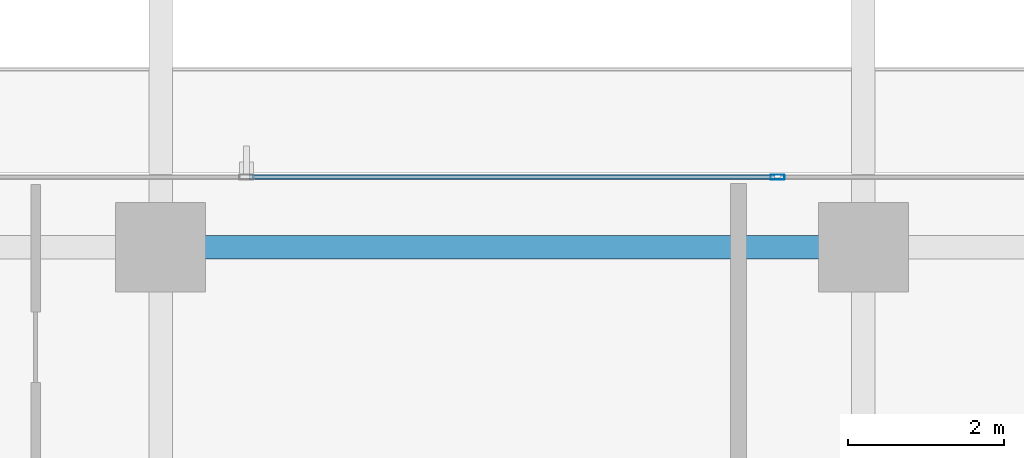
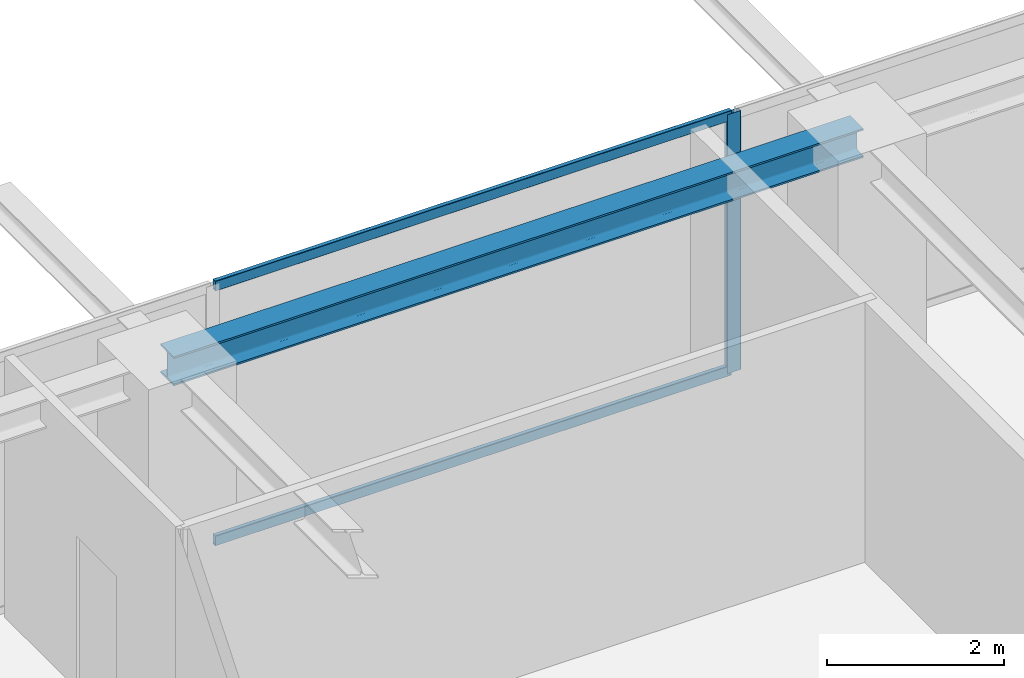
# One storey, part 19 of 37: 3 members, 1 beam, 1 element without a shape of its own.
"""IFC4 building model written with IfcOpenShell, lengths in metres."""

import ifcopenshell
import ifcopenshell.guid

model = None  # the IFC model being written
_history = None  # IfcOwnerHistory: only IFC2X3 demands one
_inside = {}  # id of a spatial element -> (the spatial element, [elements in it])
_under = {}  # id of a project, library or spatial element -> (it, [spatial elements below it])
_declared = {}  # id of a project -> (the project, [libraries it declares])
_typed = {}  # id of a type object -> (the type object, [elements of that type])
_made_of = {}  # id of a material, layer set ... -> (it, [elements and type objects made of it])


def new_model(schema):
    """Start an empty IFC model of exactly this schema.

    Asked for "IFC4X3", IfcOpenShell would pick the latest addendum, in which some entities
    have other attributes; the version numbers below select the first issue.
    IFC2X3 requires an IfcOwnerHistory on every rooted entity: one is made here for all.
    """
    global model, _history
    if schema == "IFC4X3":
        model = ifcopenshell.file(schema_version=(4, 3, 0, 0))
    else:
        model = ifcopenshell.file(schema=schema)
    _inside.clear()
    _under.clear()
    _declared.clear()
    _typed.clear()
    _made_of.clear()
    _history = None
    if model.schema == "IFC2X3":
        org = make("IfcOrganization", Name="unknown")
        user = make(
            "IfcPersonAndOrganization",
            ThePerson=make("IfcPerson", FamilyName="unknown"),
            TheOrganization=org,
        )
        app = make(
            "IfcApplication",
            ApplicationDeveloper=org,
            Version="unknown",
            ApplicationFullName="unknown",
            ApplicationIdentifier="unknown",
        )
        _history = make(
            "IfcOwnerHistory",
            OwningUser=user,
            OwningApplication=app,
            ChangeAction="ADDED",
            CreationDate=0,
        )
    return model


def make(cls, **values):
    """One entity of the class cls with the attributes given. An attribute that is None is left unset."""
    return model.create_entity(
        cls, **{name: value for name, value in values.items() if value is not None}
    )


def rooted(cls, **values):
    """An entity with a GlobalId (a new one), such as an element, a storey or a relation."""
    return make(cls, GlobalId=ifcopenshell.guid.new(), OwnerHistory=_history, **values)


def si_unit(unit_type, name, prefix=None):
    """IfcSIUnit, for example si_unit("LENGTHUNIT", "METRE", prefix="MILLI")."""
    return make("IfcSIUnit", UnitType=unit_type, Prefix=prefix, Name=name)


def assignment(units):
    """IfcUnitAssignment: the units of a project."""
    return None if units is None else make("IfcUnitAssignment", Units=units)


def point(xyz):
    """IfcCartesianPoint."""
    return None if xyz is None else make("IfcCartesianPoint", Coordinates=xyz)


def direction(xyz):
    """IfcDirection."""
    return None if xyz is None else make("IfcDirection", DirectionRatios=xyz)


def frame(location, z_axis=None, x_axis=None):
    """IfcAxis2Placement3D, a coordinate frame: its origin and axes. An axis left out is left unset."""
    return make(
        "IfcAxis2Placement3D",
        Location=point(location),
        Axis=direction(z_axis),
        RefDirection=direction(x_axis),
    )


def frame_2d(location, x_axis=None):
    """IfcAxis2Placement2D, a coordinate frame in the plane: its origin and x axis."""
    return make(
        "IfcAxis2Placement2D", Location=point(location), RefDirection=direction(x_axis)
    )


def origin():
    """The frame at (0, 0, 0) with its axes left unset."""
    return frame((0.0, 0.0, 0.0))


def origin_2d():
    """The frame at (0, 0) in the plane with its x axis left unset."""
    return frame_2d((0.0, 0.0))


def place(relative_to, where):
    """IfcLocalPlacement: puts the frame where relative to a parent placement (None: the world)."""
    return make(
        "IfcLocalPlacement", PlacementRelTo=relative_to, RelativePlacement=where
    )


def context(
    kind, dimensions, precision=None, world=None, true_north=None, identifier=None
):
    """IfcGeometricRepresentationContext, for example the 3D "Model" context."""
    return make(
        "IfcGeometricRepresentationContext",
        ContextIdentifier=identifier,
        ContextType=kind,
        CoordinateSpaceDimension=dimensions,
        Precision=precision,
        WorldCoordinateSystem=world,
        TrueNorth=true_north,
    )


def subcontext(parent, identifier, kind, view, scale=None):
    """IfcGeometricRepresentationSubContext, for example "Body" below "Model"."""
    return make(
        "IfcGeometricRepresentationSubContext",
        ContextIdentifier=identifier,
        ContextType=kind,
        ParentContext=parent,
        TargetScale=scale,
        TargetView=view,
    )


def project(units=None, contexts=None):
    """IfcProject with its units and contexts."""
    return rooted(
        "IfcProject",
        Name="project",
        RepresentationContexts=contexts,
        UnitsInContext=assignment(units),
    )


def spatial(cls, under=None, at=None, **own):
    """A site, building, storey or space (cls), placed at a placement, below another one or the project."""
    s = rooted(cls, ObjectPlacement=at, **own)
    if under is not None:
        _under.setdefault(under.id(), (under, []))[1].append(s)
    return s


def profile(cls, at=None, kind="AREA", **sizes):
    """A parametric profile (cls). Its sizes go by their IFC names, for example OverallWidth=200.0."""
    return make(cls, ProfileType=kind, Position=at, **sizes)


def hollow_rectangle(**sizes):
    """IfcRectangleHollowProfileDef."""
    return profile("IfcRectangleHollowProfileDef", **sizes)


def i_section(**sizes):
    """IfcIShapeProfileDef."""
    return profile("IfcIShapeProfileDef", **sizes)


def extrude(swept, where, along, depth):
    """IfcExtrudedAreaSolid: the profile swept, set in the frame where, extruded along a direction by depth."""
    return make(
        "IfcExtrudedAreaSolid",
        SweptArea=swept,
        Position=where,
        ExtrudedDirection=direction(along),
        Depth=depth,
    )


def shape(context_of_items, identifier, shape_type, items):
    """IfcShapeRepresentation: the items that make up one representation, for example the "Body"."""
    return make(
        "IfcShapeRepresentation",
        ContextOfItems=context_of_items,
        RepresentationIdentifier=identifier,
        RepresentationType=shape_type,
        Items=items,
    )


def source(mapping_origin, context_of_items, identifier, shape_type, items):
    """IfcRepresentationMap: a shape defined once, which mapped items show again and again."""
    return make(
        "IfcRepresentationMap",
        MappingOrigin=mapping_origin,
        MappedRepresentation=shape(context_of_items, identifier, shape_type, items),
    )


def transform(
    local_origin,
    x_axis=None,
    y_axis=None,
    z_axis=None,
    scale=None,
    scale2=None,
    scale3=None,
    uniform=True,
):
    """IfcCartesianTransformationOperator3D, or its non-uniform kind. x_axis, y_axis, z_axis: its Axis1, 2, 3."""
    if uniform:
        return make(
            "IfcCartesianTransformationOperator3D",
            Axis1=direction(x_axis),
            Axis2=direction(y_axis),
            LocalOrigin=point(local_origin),
            Scale=scale,
            Axis3=direction(z_axis),
        )
    return make(
        "IfcCartesianTransformationOperator3DnonUniform",
        Axis1=direction(x_axis),
        Axis2=direction(y_axis),
        LocalOrigin=point(local_origin),
        Scale=scale,
        Axis3=direction(z_axis),
        Scale2=scale2,
        Scale3=scale3,
    )


def mapped(mapping_source, mapping_target):
    """IfcMappedItem: shows the shape of a source again, moved by a transform."""
    return make(
        "IfcMappedItem", MappingSource=mapping_source, MappingTarget=mapping_target
    )


def material(Name=None, Category=None):
    """IfcMaterial."""
    return make("IfcMaterial", Name=Name, Category=Category)


def layer(
    of_material, thickness, ventilated=None, Name=None, Category=None, Priority=None
):
    """IfcMaterialLayer: one layer of a wall or slab, of a material (None: an air gap)."""
    return make(
        "IfcMaterialLayer",
        Material=of_material,
        LayerThickness=thickness,
        IsVentilated=ventilated,
        Name=Name,
        Category=Category,
        Priority=Priority,
    )


def layer_set(layers, Name=None):
    """IfcMaterialLayerSet."""
    return make("IfcMaterialLayerSet", MaterialLayers=layers, LayerSetName=Name)


def material_profile(
    of_material, cross_section, Name=None, Category=None, Priority=None
):
    """IfcMaterialProfile: a cross section and its material."""
    return make(
        "IfcMaterialProfile",
        Name=Name,
        Material=of_material,
        Profile=cross_section,
        Priority=Priority,
        Category=Category,
    )


def profile_set(profiles, Name=None, composite=None):
    """IfcMaterialProfileSet."""
    return make(
        "IfcMaterialProfileSet",
        Name=Name,
        MaterialProfiles=profiles,
        CompositeProfile=composite,
    )


def made_of(thing, what):
    """Note that an element or type object is made of a material, layer set ...; save() writes the relation."""
    if what is not None:
        _made_of.setdefault(what.id(), (what, []))[1].append(thing)
    return thing


def type_object(cls, material=None, **own):
    """A type object (cls), such as IfcWallType, which elements share."""
    return made_of(rooted(cls, **own), material)


def element(
    cls,
    number,
    at=None,
    inside=None,
    cuts=None,
    type_object=None,
    material=None,
    context=None,
    identifier="Body",
    shape_type=None,
    held_by="IfcProductDefinitionShape",
    body=None,
    shapes=None,
    **own,
):
    """One element of the class cls, such as IfcWall. Its Tag is "e" and its number.

    at: its placement. inside: the storey or other place that contains it. cuts: it is an
    opening in that element (IfcRelVoidsElement). A single representation is given by context,
    identifier, shape_type and body (its items); several are given by shapes. held_by: the class
    of the entity that holds the representations. save() writes the other relations.
    """
    e = rooted(cls, Tag="e%d" % number, ObjectPlacement=at, **own)
    if body is not None:
        shapes = [shape(context, identifier, shape_type, body)]
    if shapes is not None:
        e.Representation = make(held_by, Representations=shapes)
    if inside is not None:
        _inside.setdefault(inside.id(), (inside, []))[1].append(e)
    if cuts is not None:
        rooted(
            "IfcRelVoidsElement", RelatingBuildingElement=cuts, RelatedOpeningElement=e
        )
    if type_object is not None:
        _typed.setdefault(type_object.id(), (type_object, []))[1].append(e)
    return made_of(e, material)


def aggregate(whole, parts):
    """IfcRelAggregates: a whole, such as a stair, and the parts it consists of."""
    return rooted("IfcRelAggregates", RelatingObject=whole, RelatedObjects=parts)


def save(model, path):
    """Write the relations noted so far, then the file.

    IfcRelAggregates (storeys below a building ...), IfcRelContainedInSpatialStructure (elements
    in a storey), IfcRelDefinesByType, IfcRelAssociatesMaterial and IfcRelDeclares: one each for
    every whole, place, type object, material and project.
    """
    for whole, parts in _under.values():
        aggregate(whole, parts)
    for where, things in _inside.values():
        rooted(
            "IfcRelContainedInSpatialStructure",
            RelatedElements=things,
            RelatingStructure=where,
        )
    for kind, things in _typed.values():
        rooted("IfcRelDefinesByType", RelatedObjects=things, RelatingType=kind)
    for what, things in _made_of.values():
        rooted("IfcRelAssociatesMaterial", RelatedObjects=things, RelatingMaterial=what)
    for by, libraries in _declared.values():
        rooted("IfcRelDeclares", RelatingContext=by, RelatedDefinitions=libraries)
    model.write(path)


model = new_model("IFC4")

# Units and contexts
model_context = context("Model", 3, precision=1e-05, world=origin(), true_north=direction((0.0, 1.0)))
body_context = subcontext(model_context, "Body", "Model", "MODEL_VIEW")
ifc_project = project(units=[si_unit("LENGTHUNIT", "METRE"), si_unit("AREAUNIT", "SQUARE_METRE"), si_unit("VOLUMEUNIT", "CUBIC_METRE"), si_unit("PLANEANGLEUNIT", "RADIAN"), si_unit("MASSUNIT", "GRAM", prefix="KILO")], contexts=[model_context])

# Site, building, storey
site_placement = place(None, origin())
site = spatial("IfcSite", under=ifc_project, at=site_placement, CompositionType="ELEMENT")
building_placement = place(site_placement, origin())
building = spatial("IfcBuilding", under=site, at=building_placement, Name="Serunith Strait Residences", CompositionType="ELEMENT")
storey_placement = place(building_placement, frame((0.0, 0.0, 218.14990234375)))
storey = spatial("IfcBuildingStorey", under=building, at=storey_placement, Name="L54", CompositionType="ELEMENT", Elevation=218.14990234375)

# Beam
ifc_material_1 = material(Name="Steel S355J2", Category="steel")
ifc_material_profile_1 = material_profile(ifc_material_1, i_section(OverallWidth=0.300048828125, OverallDepth=0.39990234375, WebThickness=0.013427734375, FlangeThickness=0.02392578125, FilletRadius=0.027099609375, at=origin_2d()), Name="HEB 400")
ifc_profile_set_1 = profile_set([ifc_material_profile_1], Name="Steel S355J2")
beam_type = type_object("IfcBeamType", Name="BM-HEB400", PredefinedType="BEAM", material=ifc_profile_set_1)
shared_shape_1 = source(origin(), body_context, "Body", "SweptSolid", [
    extrude(i_section(OverallWidth=0.300048828125, OverallDepth=0.39990234375, WebThickness=0.013427734375, FlangeThickness=0.02392578125, FilletRadius=0.027099609375, at=origin_2d()), origin(), (0.0, 0.0, 1.0), 9.0),
])
beam_placement = place(storey_placement, frame((36.89990234375, 48.300048828125, 3.38720703125), z_axis=(-1.0, 0.0, 0.0), x_axis=(0.0, -1.0, 0.0)))
element("IfcBeam", 1, at=beam_placement, inside=storey, type_object=beam_type, Name="L54 Perimeter Ring Beam 10", PredefinedType="BEAM", context=body_context, shape_type="MappedRepresentation", body=[
    mapped(shared_shape_1, transform((0.0, 0.0, 0.0), scale=1.0)),
])

# Curtain wall, members
ifc_material_2 = material(Name="Pale-Champagne Anodised Aluminium", Category="aluminium")
ifc_layer = layer(ifc_material_2, 0.199951171875, Name="Pale-Champagne Anodised Aluminium")
ifc_layer_set = layer_set([ifc_layer], Name="Pale-Champagne Anodised Aluminium")
curtain_wall_type = type_object("IfcCurtainWallType", Name="CW-SYS4", PredefinedType="NOTDEFINED", material=ifc_layer_set)
curtain_wall_placement = place(storey_placement, origin())
curtain_wall = element("IfcCurtainWall", 2, at=curtain_wall_placement, inside=storey, type_object=curtain_wall_type, Name="L54 N Unitised Fritted Curtain Wall", PredefinedType="NOTDEFINED")
ifc_material_profile_2 = material_profile(ifc_material_2, hollow_rectangle(XDim=0.06005859375, YDim=0.139892578125, WallThickness=0.00341796875, InnerFilletRadius=0.00537109375, OuterFilletRadius=0.0087890625, at=origin_2d()), Name="ALU 140x60x3.5")
ifc_profile_set_2 = profile_set([ifc_material_profile_2], Name="Pale-Champagne Anodised Aluminium")
member_type_1 = type_object("IfcMemberType", Name="CW-SYS4-TRAN", PredefinedType="USERDEFINED", material=ifc_profile_set_2)
shared_shape_2 = source(origin(), body_context, "Body", "SweptSolid", [
    extrude(hollow_rectangle(XDim=0.06005859375, YDim=0.139892578125, WallThickness=0.00341796875, InnerFilletRadius=0.00537109375, OuterFilletRadius=0.0087890625, at=origin_2d()), origin(), (0.0, 0.0, 1.0), 6.735107421875),
])
member_1_placement = place(storey_placement, frame((35.767578125, 49.199951171875, 0.030029296875), z_axis=(-1.0, 0.0, 0.0), x_axis=(0.0, -1.0, 0.0)))
member_1 = element("IfcMember", 3, at=member_1_placement, type_object=member_type_1, Name="CW-4 transom 3.1", ObjectType="TRANSOM", PredefinedType="USERDEFINED", context=body_context, shape_type="MappedRepresentation", body=[
    mapped(shared_shape_2, transform((0.0, 0.0, 0.0), scale=1.0)),
])
member_2_placement = place(storey_placement, frame((35.767578125, 49.199951171875, 3.545166015625), z_axis=(-1.0, 0.0, 0.0), x_axis=(0.0, -1.0, 0.0)))
member_2 = element("IfcMember", 4, at=member_2_placement, type_object=member_type_1, Name="CW-4 transom 3.2", ObjectType="TRANSOM", PredefinedType="USERDEFINED", context=body_context, shape_type="MappedRepresentation", body=[
    mapped(shared_shape_2, transform((0.0, 0.0, 0.0), scale=1.0)),
])
ifc_material_profile_3 = material_profile(ifc_material_2, hollow_rectangle(XDim=0.06494140625, YDim=0.179931640625, WallThickness=0.00341796875, InnerFilletRadius=0.00537109375, OuterFilletRadius=0.0087890625, at=origin_2d()), Name="ALU 180x65x3.5")
ifc_profile_set_3 = profile_set([ifc_material_profile_3], Name="Pale-Champagne Anodised Aluminium")
member_type_2 = type_object("IfcMemberType", Name="CW-SYS4-MULL", PredefinedType="MULLION", material=ifc_profile_set_3)
shared_shape_3 = source(origin(), body_context, "Body", "SweptSolid", [
    extrude(hollow_rectangle(XDim=0.06494140625, YDim=0.179931640625, WallThickness=0.00341796875, InnerFilletRadius=0.00537109375, OuterFilletRadius=0.0087890625, at=origin_2d()), origin(), (0.0, 0.0, 1.0), 3.5751953125),
])
member_3_placement = place(storey_placement, frame((35.800048828125, 49.199951171875, 0.0), z_axis=(0.0, 0.0, 1.0), x_axis=(0.0, -1.0, 0.0)))
member_3 = element("IfcMember", 5, at=member_3_placement, type_object=member_type_2, Name="CW-4 mullion 3", PredefinedType="MULLION", context=body_context, shape_type="MappedRepresentation", body=[
    mapped(shared_shape_3, transform((0.0, 0.0, 0.0), scale=1.0)),
])
aggregate(curtain_wall, [member_3, member_1, member_2])

save(model, "model.ifc")
